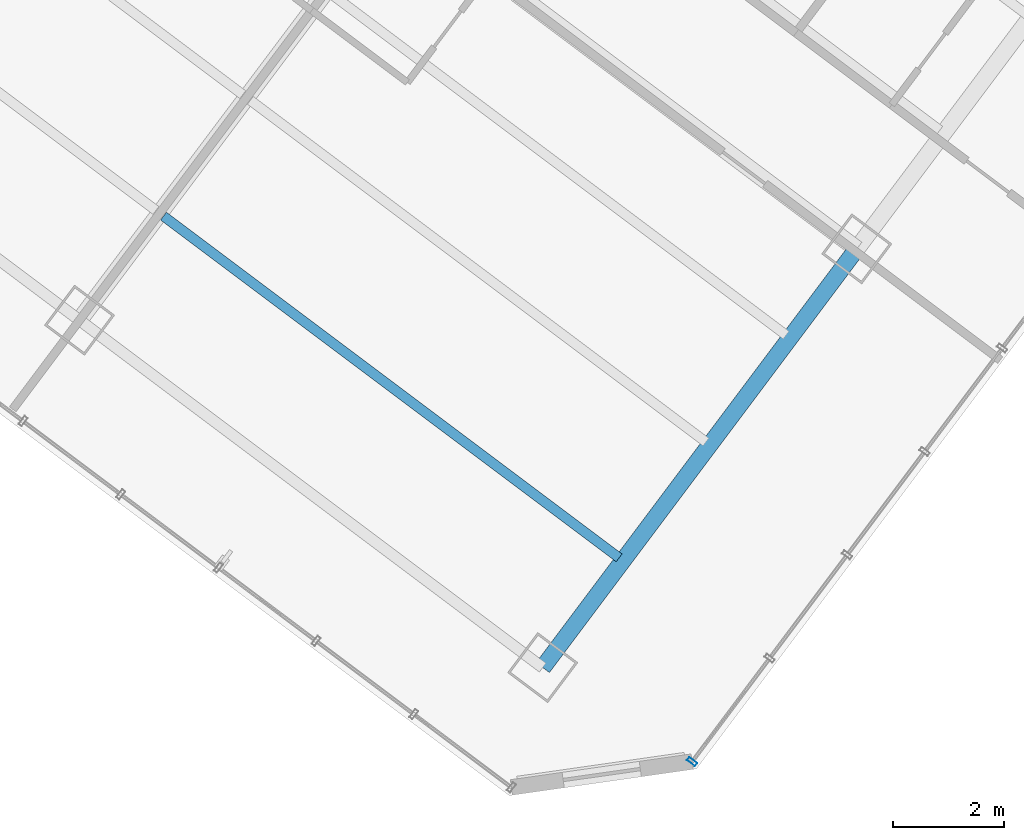
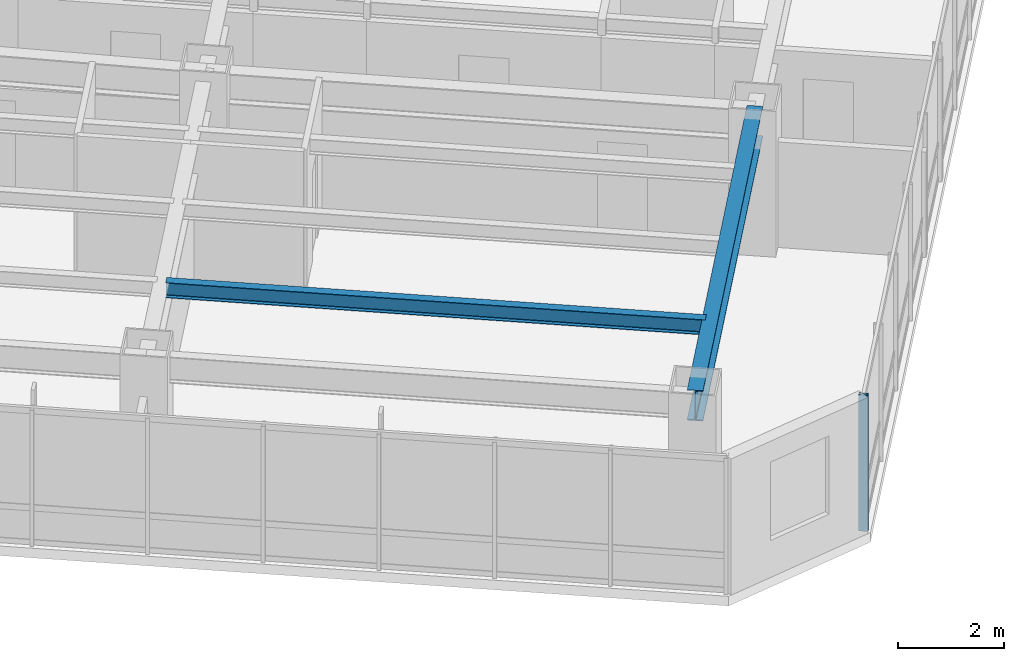
# One storey, part 12 of 36: 2 beams, 1 member, 1 element without a shape of its own.
"""IFC4 building model written with IfcOpenShell, lengths in metres."""

import ifcopenshell
import ifcopenshell.guid

model = None  # the IFC model being written
_history = None  # IfcOwnerHistory: only IFC2X3 demands one
_inside = {}  # id of a spatial element -> (the spatial element, [elements in it])
_under = {}  # id of a project, library or spatial element -> (it, [spatial elements below it])
_declared = {}  # id of a project -> (the project, [libraries it declares])
_typed = {}  # id of a type object -> (the type object, [elements of that type])
_made_of = {}  # id of a material, layer set ... -> (it, [elements and type objects made of it])


def new_model(schema):
    """Start an empty IFC model of exactly this schema.

    Asked for "IFC4X3", IfcOpenShell would pick the latest addendum, in which some entities
    have other attributes; the version numbers below select the first issue.
    IFC2X3 requires an IfcOwnerHistory on every rooted entity: one is made here for all.
    """
    global model, _history
    if schema == "IFC4X3":
        model = ifcopenshell.file(schema_version=(4, 3, 0, 0))
    else:
        model = ifcopenshell.file(schema=schema)
    _inside.clear()
    _under.clear()
    _declared.clear()
    _typed.clear()
    _made_of.clear()
    _history = None
    if model.schema == "IFC2X3":
        org = make("IfcOrganization", Name="unknown")
        user = make(
            "IfcPersonAndOrganization",
            ThePerson=make("IfcPerson", FamilyName="unknown"),
            TheOrganization=org,
        )
        app = make(
            "IfcApplication",
            ApplicationDeveloper=org,
            Version="unknown",
            ApplicationFullName="unknown",
            ApplicationIdentifier="unknown",
        )
        _history = make(
            "IfcOwnerHistory",
            OwningUser=user,
            OwningApplication=app,
            ChangeAction="ADDED",
            CreationDate=0,
        )
    return model


def make(cls, **values):
    """One entity of the class cls with the attributes given. An attribute that is None is left unset."""
    return model.create_entity(
        cls, **{name: value for name, value in values.items() if value is not None}
    )


def rooted(cls, **values):
    """An entity with a GlobalId (a new one), such as an element, a storey or a relation."""
    return make(cls, GlobalId=ifcopenshell.guid.new(), OwnerHistory=_history, **values)


def si_unit(unit_type, name, prefix=None):
    """IfcSIUnit, for example si_unit("LENGTHUNIT", "METRE", prefix="MILLI")."""
    return make("IfcSIUnit", UnitType=unit_type, Prefix=prefix, Name=name)


def assignment(units):
    """IfcUnitAssignment: the units of a project."""
    return None if units is None else make("IfcUnitAssignment", Units=units)


def point(xyz):
    """IfcCartesianPoint."""
    return None if xyz is None else make("IfcCartesianPoint", Coordinates=xyz)


def direction(xyz):
    """IfcDirection."""
    return None if xyz is None else make("IfcDirection", DirectionRatios=xyz)


def frame(location, z_axis=None, x_axis=None):
    """IfcAxis2Placement3D, a coordinate frame: its origin and axes. An axis left out is left unset."""
    return make(
        "IfcAxis2Placement3D",
        Location=point(location),
        Axis=direction(z_axis),
        RefDirection=direction(x_axis),
    )


def frame_2d(location, x_axis=None):
    """IfcAxis2Placement2D, a coordinate frame in the plane: its origin and x axis."""
    return make(
        "IfcAxis2Placement2D", Location=point(location), RefDirection=direction(x_axis)
    )


def origin():
    """The frame at (0, 0, 0) with its axes left unset."""
    return frame((0.0, 0.0, 0.0))


def origin_2d():
    """The frame at (0, 0) in the plane with its x axis left unset."""
    return frame_2d((0.0, 0.0))


def place(relative_to, where):
    """IfcLocalPlacement: puts the frame where relative to a parent placement (None: the world)."""
    return make(
        "IfcLocalPlacement", PlacementRelTo=relative_to, RelativePlacement=where
    )


def context(
    kind, dimensions, precision=None, world=None, true_north=None, identifier=None
):
    """IfcGeometricRepresentationContext, for example the 3D "Model" context."""
    return make(
        "IfcGeometricRepresentationContext",
        ContextIdentifier=identifier,
        ContextType=kind,
        CoordinateSpaceDimension=dimensions,
        Precision=precision,
        WorldCoordinateSystem=world,
        TrueNorth=true_north,
    )


def subcontext(parent, identifier, kind, view, scale=None):
    """IfcGeometricRepresentationSubContext, for example "Body" below "Model"."""
    return make(
        "IfcGeometricRepresentationSubContext",
        ContextIdentifier=identifier,
        ContextType=kind,
        ParentContext=parent,
        TargetScale=scale,
        TargetView=view,
    )


def project(units=None, contexts=None):
    """IfcProject with its units and contexts."""
    return rooted(
        "IfcProject",
        Name="project",
        RepresentationContexts=contexts,
        UnitsInContext=assignment(units),
    )


def spatial(cls, under=None, at=None, **own):
    """A site, building, storey or space (cls), placed at a placement, below another one or the project."""
    s = rooted(cls, ObjectPlacement=at, **own)
    if under is not None:
        _under.setdefault(under.id(), (under, []))[1].append(s)
    return s


def profile(cls, at=None, kind="AREA", **sizes):
    """A parametric profile (cls). Its sizes go by their IFC names, for example OverallWidth=200.0."""
    return make(cls, ProfileType=kind, Position=at, **sizes)


def hollow_rectangle(**sizes):
    """IfcRectangleHollowProfileDef."""
    return profile("IfcRectangleHollowProfileDef", **sizes)


def i_section(**sizes):
    """IfcIShapeProfileDef."""
    return profile("IfcIShapeProfileDef", **sizes)


def extrude(swept, where, along, depth):
    """IfcExtrudedAreaSolid: the profile swept, set in the frame where, extruded along a direction by depth."""
    return make(
        "IfcExtrudedAreaSolid",
        SweptArea=swept,
        Position=where,
        ExtrudedDirection=direction(along),
        Depth=depth,
    )


def shape(context_of_items, identifier, shape_type, items):
    """IfcShapeRepresentation: the items that make up one representation, for example the "Body"."""
    return make(
        "IfcShapeRepresentation",
        ContextOfItems=context_of_items,
        RepresentationIdentifier=identifier,
        RepresentationType=shape_type,
        Items=items,
    )


def material(Name=None, Category=None):
    """IfcMaterial."""
    return make("IfcMaterial", Name=Name, Category=Category)


def layer(
    of_material, thickness, ventilated=None, Name=None, Category=None, Priority=None
):
    """IfcMaterialLayer: one layer of a wall or slab, of a material (None: an air gap)."""
    return make(
        "IfcMaterialLayer",
        Material=of_material,
        LayerThickness=thickness,
        IsVentilated=ventilated,
        Name=Name,
        Category=Category,
        Priority=Priority,
    )


def layer_set(layers, Name=None):
    """IfcMaterialLayerSet."""
    return make("IfcMaterialLayerSet", MaterialLayers=layers, LayerSetName=Name)


def material_profile(
    of_material, cross_section, Name=None, Category=None, Priority=None
):
    """IfcMaterialProfile: a cross section and its material."""
    return make(
        "IfcMaterialProfile",
        Name=Name,
        Material=of_material,
        Profile=cross_section,
        Priority=Priority,
        Category=Category,
    )


def profile_set(profiles, Name=None, composite=None):
    """IfcMaterialProfileSet."""
    return make(
        "IfcMaterialProfileSet",
        Name=Name,
        MaterialProfiles=profiles,
        CompositeProfile=composite,
    )


def made_of(thing, what):
    """Note that an element or type object is made of a material, layer set ...; save() writes the relation."""
    if what is not None:
        _made_of.setdefault(what.id(), (what, []))[1].append(thing)
    return thing


def type_object(cls, material=None, **own):
    """A type object (cls), such as IfcWallType, which elements share."""
    return made_of(rooted(cls, **own), material)


def element(
    cls,
    number,
    at=None,
    inside=None,
    cuts=None,
    type_object=None,
    material=None,
    context=None,
    identifier="Body",
    shape_type=None,
    held_by="IfcProductDefinitionShape",
    body=None,
    shapes=None,
    **own,
):
    """One element of the class cls, such as IfcWall. Its Tag is "e" and its number.

    at: its placement. inside: the storey or other place that contains it. cuts: it is an
    opening in that element (IfcRelVoidsElement). A single representation is given by context,
    identifier, shape_type and body (its items); several are given by shapes. held_by: the class
    of the entity that holds the representations. save() writes the other relations.
    """
    e = rooted(cls, Tag="e%d" % number, ObjectPlacement=at, **own)
    if body is not None:
        shapes = [shape(context, identifier, shape_type, body)]
    if shapes is not None:
        e.Representation = make(held_by, Representations=shapes)
    if inside is not None:
        _inside.setdefault(inside.id(), (inside, []))[1].append(e)
    if cuts is not None:
        rooted(
            "IfcRelVoidsElement", RelatingBuildingElement=cuts, RelatedOpeningElement=e
        )
    if type_object is not None:
        _typed.setdefault(type_object.id(), (type_object, []))[1].append(e)
    return made_of(e, material)


def aggregate(whole, parts):
    """IfcRelAggregates: a whole, such as a stair, and the parts it consists of."""
    return rooted("IfcRelAggregates", RelatingObject=whole, RelatedObjects=parts)


def save(model, path):
    """Write the relations noted so far, then the file.

    IfcRelAggregates (storeys below a building ...), IfcRelContainedInSpatialStructure (elements
    in a storey), IfcRelDefinesByType, IfcRelAssociatesMaterial and IfcRelDeclares: one each for
    every whole, place, type object, material and project.
    """
    for whole, parts in _under.values():
        aggregate(whole, parts)
    for where, things in _inside.values():
        rooted(
            "IfcRelContainedInSpatialStructure",
            RelatedElements=things,
            RelatingStructure=where,
        )
    for kind, things in _typed.values():
        rooted("IfcRelDefinesByType", RelatedObjects=things, RelatingType=kind)
    for what, things in _made_of.values():
        rooted("IfcRelAssociatesMaterial", RelatedObjects=things, RelatingMaterial=what)
    for by, libraries in _declared.values():
        rooted("IfcRelDeclares", RelatingContext=by, RelatedDefinitions=libraries)
    model.write(path)


model = new_model("IFC4")

# Units and contexts
model_context = context("Model", 3, precision=1e-05, world=origin(), true_north=direction((0.0, 1.0)))
body_context = subcontext(model_context, "Body", "Model", "MODEL_VIEW")
ifc_project = project(units=[si_unit("LENGTHUNIT", "METRE"), si_unit("AREAUNIT", "SQUARE_METRE"), si_unit("VOLUMEUNIT", "CUBIC_METRE"), si_unit("PLANEANGLEUNIT", "RADIAN"), si_unit("MASSUNIT", "GRAM", prefix="KILO")], contexts=[model_context])

# Site, building, storey
site_placement = place(None, origin())
site = spatial("IfcSite", under=ifc_project, at=site_placement, CompositionType="ELEMENT")
building_placement = place(site_placement, origin())
building = spatial("IfcBuilding", under=site, at=building_placement, Name="Hatsunagi Terrace Concourse", CompositionType="ELEMENT")
storey_placement = place(building_placement, frame((0.0, 0.0, 84.64990234375)))
storey = spatial("IfcBuildingStorey", under=building, at=storey_placement, Name="L22", CompositionType="ELEMENT", Elevation=84.64990234375)

# Curtain wall, member
ifc_material_1 = material(Name="Anodised Aluminium Alloy 6063-T5", Category="aluminium")
ifc_layer = layer(ifc_material_1, 0.199951171875)
ifc_layer_set = layer_set([ifc_layer], Name="HotelFacade_CW02")
curtain_wall_type = type_object("IfcCurtainWallType", Name="HotelFacade_CW02", PredefinedType="NOTDEFINED", material=ifc_layer_set)
curtain_wall_placement = place(storey_placement, origin())
curtain_wall = element("IfcCurtainWall", 1, at=curtain_wall_placement, inside=storey, type_object=curtain_wall_type, Name="Unitised Curtain Wall CW-02 CW-L22-03", PredefinedType="NOTDEFINED")
ifc_material_2 = material(Name="Anodised Aluminium Alloy 6063-T5", Category="aluminium")
ifc_material_profile_1 = material_profile(ifc_material_2, hollow_rectangle(XDim=0.070068359375, YDim=0.179931640625, WallThickness=0.00390625, at=origin_2d()), Name="ALU-MUL-180x70x4")
ifc_profile_set_1 = profile_set([ifc_material_profile_1], Name="Anodised Aluminium Alloy 6063-T5")
member_type = type_object("IfcMemberType", Name="CurtainWallMullion_180x70", PredefinedType="MULLION", material=ifc_profile_set_1)
member_placement = place(storey_placement, frame((56.56298828125, 2.949951171875, 0.0), z_axis=(0.0, 0.0, 1.0), x_axis=(-0.599969314634, -0.800023013105, 0.0)))
member = element("IfcMember", 2, at=member_placement, type_object=member_type, Name="Curtain Wall Mullion MUL-02", PredefinedType="MULLION", context=body_context, shape_type="SweptSolid", body=[
    extrude(hollow_rectangle(XDim=0.070068359375, YDim=0.179931640625, WallThickness=0.00390625, at=origin_2d()), origin(), (0.0, 0.0, 1.0), 3.130126953125),
])
aggregate(curtain_wall, [member])

# Beams
ifc_material_3 = material(Name="Steel SN490B", Category="steel")
ifc_material_profile_2 = material_profile(ifc_material_3, i_section(OverallWidth=0.300048828125, OverallDepth=0.699951171875, WebThickness=0.012939453125, FlangeThickness=0.02392578125, FilletRadius=0.02197265625, at=origin_2d()), Name="H-700x300x13x24")
ifc_profile_set_2 = profile_set([ifc_material_profile_2], Name="Steel SN490B")
beam_type_1 = type_object("IfcBeamType", Name="HotelFloorGirder_H_700x300", PredefinedType="BEAM", material=ifc_profile_set_2)
beam_1_placement = place(storey_placement, frame((53.8798828125, 4.639892578125, 2.780029296875), z_axis=(0.600008311051, 0.799993766644, 0.0), x_axis=(-0.799993766644, 0.600008311051, 0.0)))
element("IfcBeam", 3, at=beam_1_placement, inside=storey, type_object=beam_type_1, Name="Beam G-04 BM-L22-SET-3A", PredefinedType="BEAM", context=body_context, shape_type="SweptSolid", body=[
    extrude(i_section(OverallWidth=0.300048828125, OverallDepth=0.699951171875, WebThickness=0.012939453125, FlangeThickness=0.02392578125, FilletRadius=0.02197265625, at=origin_2d()), origin(), (0.0, 0.0, 1.0), 9.400146484375),
])
ifc_material_4 = material(Name="Steel SN490B", Category="steel")
ifc_material_profile_3 = material_profile(ifc_material_4, i_section(OverallWidth=0.175048828125, OverallDepth=0.35009765625, WebThickness=0.007080078125, FlangeThickness=0.010986328125, FilletRadius=0.012939453125, at=origin_2d()), Name="H-350x175x7x11")
ifc_profile_set_3 = profile_set([ifc_material_profile_3], Name="Steel SN490B")
beam_type_2 = type_object("IfcBeamType", Name="HotelJoist_H_350x175", PredefinedType="JOIST", material=ifc_profile_set_3)
beam_2_placement = place(storey_placement, frame((47.068115234375, 12.7490234375, 2.955078125), z_axis=(0.799997136125, -0.600003818481, 0.0), x_axis=(0.600003818481, 0.799997136125, 0.0)))
element("IfcBeam", 4, at=beam_2_placement, inside=storey, type_object=beam_type_2, Name="Beam J-02 J-L22-SE-3-46", PredefinedType="JOIST", context=body_context, shape_type="SweptSolid", body=[
    extrude(i_section(OverallWidth=0.175048828125, OverallDepth=0.35009765625, WebThickness=0.007080078125, FlangeThickness=0.010986328125, FilletRadius=0.012939453125, at=origin_2d()), origin(), (0.0, 0.0, 1.0), 10.229736328125),
])

save(model, "model.ifc")
